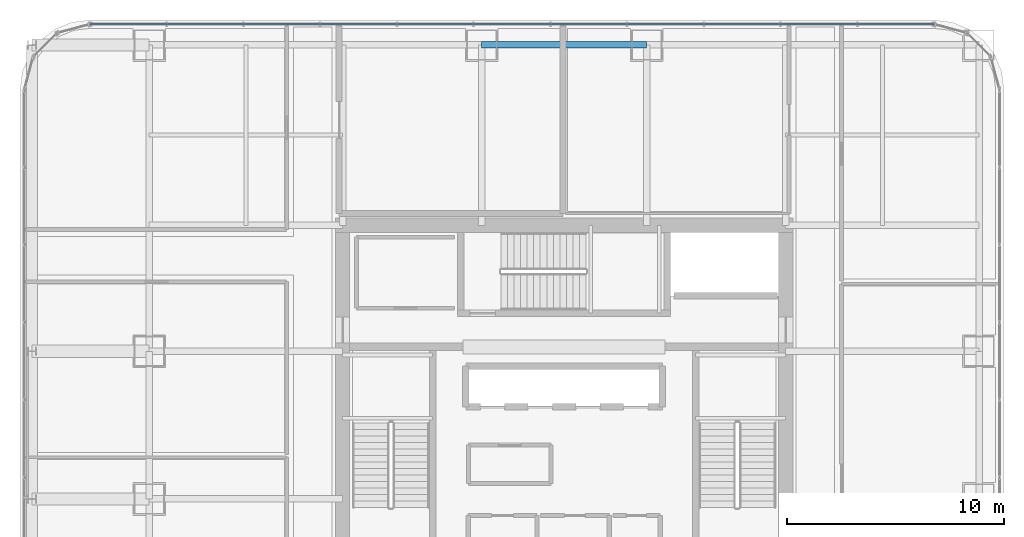
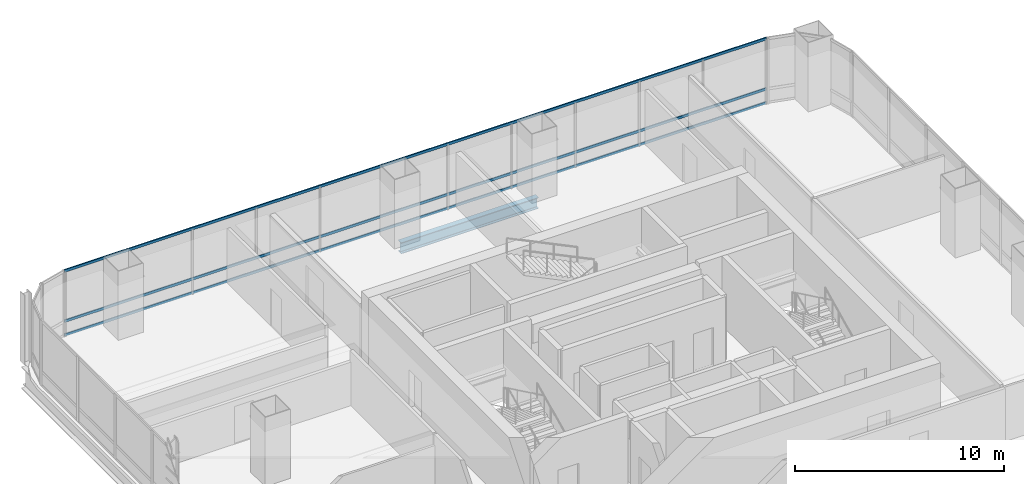
# One storey, part 23 of 36: 3 members, 1 beam, 1 element without a shape of its own.
"""IFC4 building model written with IfcOpenShell, lengths in metres."""

from ifc_helpers import new_model, si_unit, direction, frame, origin, origin_2d, place, context, subcontext, project, spatial, hollow_rectangle, i_section, extrude, material, material_profile, profile_set, type_object, element, aggregate, save


model = new_model("IFC4")

# Units and contexts
model_context = context("Model", 3, precision=1e-05, world=origin(), true_north=direction((0.0, 1.0)))
body_context = subcontext(model_context, "Body", "Model", "MODEL_VIEW")
ifc_project = project(units=[si_unit("LENGTHUNIT", "METRE"), si_unit("AREAUNIT", "SQUARE_METRE"), si_unit("VOLUMEUNIT", "CUBIC_METRE"), si_unit("PLANEANGLEUNIT", "RADIAN"), si_unit("MASSUNIT", "GRAM", prefix="KILO")], contexts=[model_context])

# Site, building, storey
site_placement = place(None, origin())
site = spatial("IfcSite", under=ifc_project, at=site_placement, CompositionType="ELEMENT")
building_placement = place(site_placement, origin())
building = spatial("IfcBuilding", under=site, at=building_placement, Name="Punatoya Terracotta Tower", CompositionType="ELEMENT")
storey_placement = place(building_placement, frame((0.0, 0.0, 176.25)))
storey = spatial("IfcBuildingStorey", under=building, at=storey_placement, Name="L41", CompositionType="ELEMENT", Elevation=176.25)

# Beam
ifc_material_1 = material(Name="Steel S355", Category="steel")
ifc_material_profile_1 = material_profile(ifc_material_1, i_section(OverallWidth=0.300048828125, OverallDepth=0.64990234375, WebThickness=0.01611328125, FlangeThickness=0.031005859375, FilletRadius=0.01806640625, at=origin_2d()))
ifc_profile_set_1 = profile_set([ifc_material_profile_1], Name="Steel S355")
beam_type = type_object("IfcBeamType", Name="BM-PRI-650", PredefinedType="BEAM", material=ifc_profile_set_1)
beam_placement = place(storey_placement, frame((-3.800048828125, 17.5, -0.544921875), z_axis=(1.0, 0.0, 0.0), x_axis=(0.0, 1.0, 0.0)))
element("IfcBeam", 1, at=beam_placement, inside=storey, type_object=beam_type, Name="BM-L41-RG-N2", PredefinedType="BEAM", context=body_context, shape_type="SweptSolid", body=[
    extrude(i_section(OverallWidth=0.300048828125, OverallDepth=0.64990234375, WebThickness=0.01611328125, FlangeThickness=0.031005859375, FilletRadius=0.01806640625, at=origin_2d()), origin(), (0.0, 0.0, 1.0), 7.60009765625),
])

# Curtain wall, members
ifc_material_2 = material(Name="Aluminium 6063-T6 + Double Low-E Glass", Category="aluminium")
curtain_wall_type = type_object("IfcCurtainWallType", Name="CW-M2", PredefinedType="NOTDEFINED", material=ifc_material_2)
curtain_wall_placement = place(storey_placement, origin())
curtain_wall = element("IfcCurtainWall", 2, at=curtain_wall_placement, inside=storey, type_object=curtain_wall_type, Name="L41 Curtain Wall CW-L41-N09-1", PredefinedType="NOTDEFINED")
ifc_material_3 = material(Name="Aluminium 6063-T6", Category="aluminium")
ifc_material_profile_2 = material_profile(ifc_material_3, hollow_rectangle(XDim=0.068115234375, YDim=0.14990234375, WallThickness=0.00390625, at=origin_2d()))
ifc_profile_set_2 = profile_set([ifc_material_profile_2], Name="Aluminium 6063-T6")
member_type = type_object("IfcMemberType", Name="CW-TRN-TYP", PredefinedType="USERDEFINED", material=ifc_profile_set_2)
member_1_placement = place(storey_placement, frame((17.036865234375, 18.449951171875, 0.0400390625), z_axis=(-1.0, 0.0, 0.0), x_axis=(0.0, -1.0, 0.0)))
member_1 = element("IfcMember", 3, at=member_1_placement, type_object=member_type, Name="CW-L41-N09-1 Transom 1", ObjectType="TRANSOM", PredefinedType="USERDEFINED", context=body_context, shape_type="SweptSolid", body=[
    extrude(hollow_rectangle(XDim=0.068115234375, YDim=0.14990234375, WallThickness=0.00390625, at=origin_2d()), origin(), (0.0, 0.0, 1.0), 38.873779296875),
])
member_2_placement = place(storey_placement, frame((17.036865234375, 18.449951171875, 0.85009765625), z_axis=(-1.0, 0.0, 0.0), x_axis=(0.0, -1.0, 0.0)))
member_2 = element("IfcMember", 4, at=member_2_placement, type_object=member_type, Name="CW-L41-N09-1 Transom 2", ObjectType="TRANSOM", PredefinedType="USERDEFINED", context=body_context, shape_type="SweptSolid", body=[
    extrude(hollow_rectangle(XDim=0.068115234375, YDim=0.14990234375, WallThickness=0.00390625, at=origin_2d()), origin(), (0.0, 0.0, 1.0), 38.873779296875),
])
member_3_placement = place(storey_placement, frame((17.036865234375, 18.449951171875, 3.7900390625), z_axis=(-1.0, 0.0, 0.0), x_axis=(0.0, -1.0, 0.0)))
member_3 = element("IfcMember", 5, at=member_3_placement, type_object=member_type, Name="CW-L41-N09-1 Transom 3", ObjectType="TRANSOM", PredefinedType="USERDEFINED", context=body_context, shape_type="SweptSolid", body=[
    extrude(hollow_rectangle(XDim=0.068115234375, YDim=0.14990234375, WallThickness=0.00390625, at=origin_2d()), origin(), (0.0, 0.0, 1.0), 38.873779296875),
])
aggregate(curtain_wall, [member_1, member_2, member_3])

save(model, "model.ifc")
